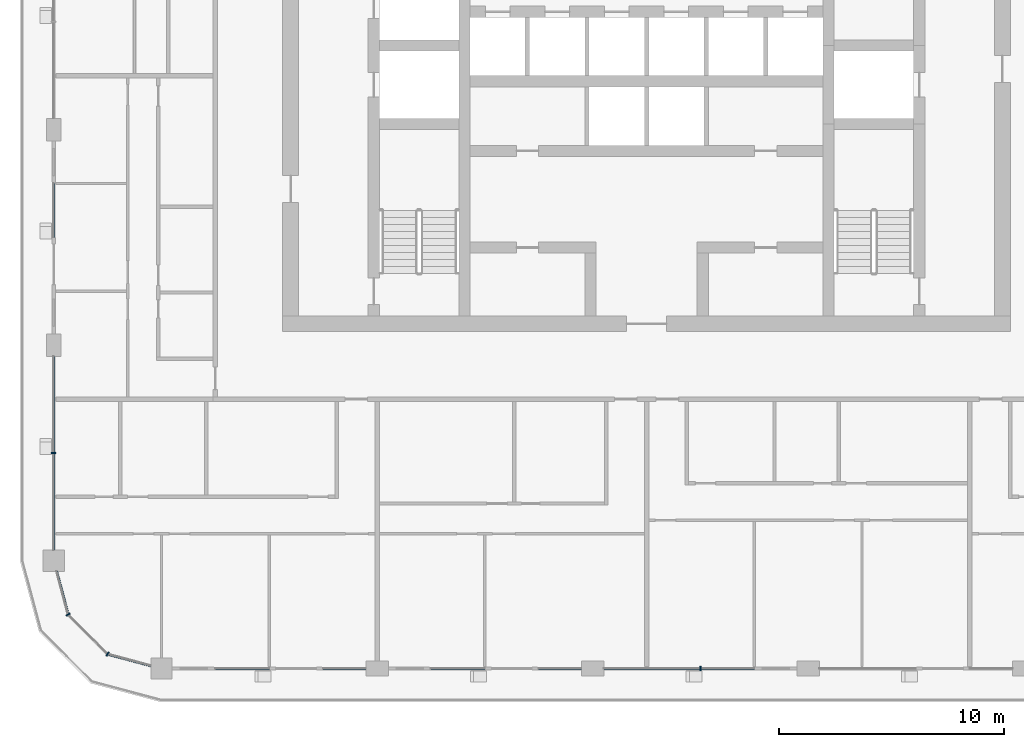
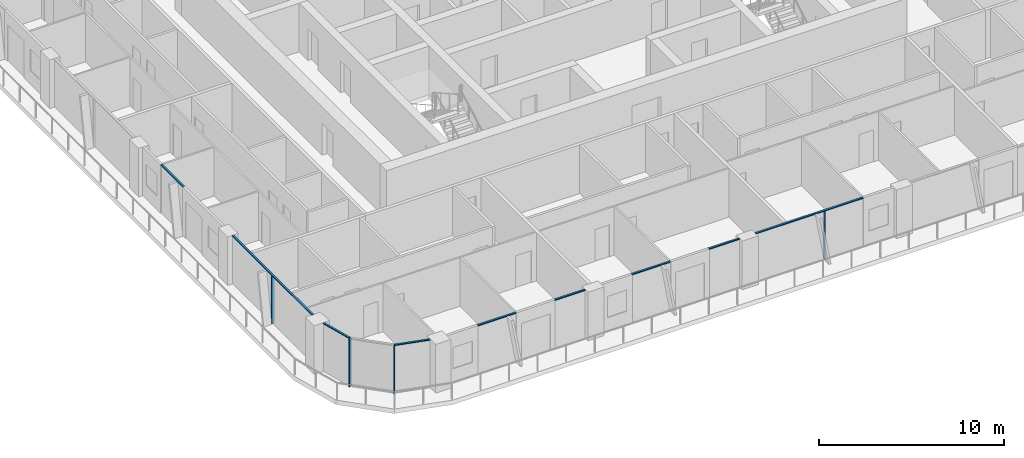
# One storey, part 2 of 21: 13 members, 6 elements without a shape of their own.
"""IFC4 building model written with IfcOpenShell, lengths in metres."""

import ifcopenshell
import ifcopenshell.guid

model = None  # the IFC model being written
_history = None  # IfcOwnerHistory: only IFC2X3 demands one
_inside = {}  # id of a spatial element -> (the spatial element, [elements in it])
_under = {}  # id of a project, library or spatial element -> (it, [spatial elements below it])
_declared = {}  # id of a project -> (the project, [libraries it declares])
_typed = {}  # id of a type object -> (the type object, [elements of that type])
_made_of = {}  # id of a material, layer set ... -> (it, [elements and type objects made of it])


def new_model(schema):
    """Start an empty IFC model of exactly this schema.

    Asked for "IFC4X3", IfcOpenShell would pick the latest addendum, in which some entities
    have other attributes; the version numbers below select the first issue.
    IFC2X3 requires an IfcOwnerHistory on every rooted entity: one is made here for all.
    """
    global model, _history
    if schema == "IFC4X3":
        model = ifcopenshell.file(schema_version=(4, 3, 0, 0))
    else:
        model = ifcopenshell.file(schema=schema)
    _inside.clear()
    _under.clear()
    _declared.clear()
    _typed.clear()
    _made_of.clear()
    _history = None
    if model.schema == "IFC2X3":
        org = make("IfcOrganization", Name="unknown")
        user = make(
            "IfcPersonAndOrganization",
            ThePerson=make("IfcPerson", FamilyName="unknown"),
            TheOrganization=org,
        )
        app = make(
            "IfcApplication",
            ApplicationDeveloper=org,
            Version="unknown",
            ApplicationFullName="unknown",
            ApplicationIdentifier="unknown",
        )
        _history = make(
            "IfcOwnerHistory",
            OwningUser=user,
            OwningApplication=app,
            ChangeAction="ADDED",
            CreationDate=0,
        )
    return model


def make(cls, **values):
    """One entity of the class cls with the attributes given. An attribute that is None is left unset."""
    return model.create_entity(
        cls, **{name: value for name, value in values.items() if value is not None}
    )


def rooted(cls, **values):
    """An entity with a GlobalId (a new one), such as an element, a storey or a relation."""
    return make(cls, GlobalId=ifcopenshell.guid.new(), OwnerHistory=_history, **values)


def si_unit(unit_type, name, prefix=None):
    """IfcSIUnit, for example si_unit("LENGTHUNIT", "METRE", prefix="MILLI")."""
    return make("IfcSIUnit", UnitType=unit_type, Prefix=prefix, Name=name)


def assignment(units):
    """IfcUnitAssignment: the units of a project."""
    return None if units is None else make("IfcUnitAssignment", Units=units)


def point(xyz):
    """IfcCartesianPoint."""
    return None if xyz is None else make("IfcCartesianPoint", Coordinates=xyz)


def direction(xyz):
    """IfcDirection."""
    return None if xyz is None else make("IfcDirection", DirectionRatios=xyz)


def frame(location, z_axis=None, x_axis=None):
    """IfcAxis2Placement3D, a coordinate frame: its origin and axes. An axis left out is left unset."""
    return make(
        "IfcAxis2Placement3D",
        Location=point(location),
        Axis=direction(z_axis),
        RefDirection=direction(x_axis),
    )


def frame_2d(location, x_axis=None):
    """IfcAxis2Placement2D, a coordinate frame in the plane: its origin and x axis."""
    return make(
        "IfcAxis2Placement2D", Location=point(location), RefDirection=direction(x_axis)
    )


def origin():
    """The frame at (0, 0, 0) with its axes left unset."""
    return frame((0.0, 0.0, 0.0))


def origin_2d():
    """The frame at (0, 0) in the plane with its x axis left unset."""
    return frame_2d((0.0, 0.0))


def place(relative_to, where):
    """IfcLocalPlacement: puts the frame where relative to a parent placement (None: the world)."""
    return make(
        "IfcLocalPlacement", PlacementRelTo=relative_to, RelativePlacement=where
    )


def context(
    kind, dimensions, precision=None, world=None, true_north=None, identifier=None
):
    """IfcGeometricRepresentationContext, for example the 3D "Model" context."""
    return make(
        "IfcGeometricRepresentationContext",
        ContextIdentifier=identifier,
        ContextType=kind,
        CoordinateSpaceDimension=dimensions,
        Precision=precision,
        WorldCoordinateSystem=world,
        TrueNorth=true_north,
    )


def subcontext(parent, identifier, kind, view, scale=None):
    """IfcGeometricRepresentationSubContext, for example "Body" below "Model"."""
    return make(
        "IfcGeometricRepresentationSubContext",
        ContextIdentifier=identifier,
        ContextType=kind,
        ParentContext=parent,
        TargetScale=scale,
        TargetView=view,
    )


def project(units=None, contexts=None):
    """IfcProject with its units and contexts."""
    return rooted(
        "IfcProject",
        Name="project",
        RepresentationContexts=contexts,
        UnitsInContext=assignment(units),
    )


def spatial(cls, under=None, at=None, **own):
    """A site, building, storey or space (cls), placed at a placement, below another one or the project."""
    s = rooted(cls, ObjectPlacement=at, **own)
    if under is not None:
        _under.setdefault(under.id(), (under, []))[1].append(s)
    return s


def profile(cls, at=None, kind="AREA", **sizes):
    """A parametric profile (cls). Its sizes go by their IFC names, for example OverallWidth=200.0."""
    return make(cls, ProfileType=kind, Position=at, **sizes)


def rectangle(**sizes):
    """IfcRectangleProfileDef."""
    return profile("IfcRectangleProfileDef", **sizes)


def extrude(swept, where, along, depth):
    """IfcExtrudedAreaSolid: the profile swept, set in the frame where, extruded along a direction by depth."""
    return make(
        "IfcExtrudedAreaSolid",
        SweptArea=swept,
        Position=where,
        ExtrudedDirection=direction(along),
        Depth=depth,
    )


def shape(context_of_items, identifier, shape_type, items):
    """IfcShapeRepresentation: the items that make up one representation, for example the "Body"."""
    return make(
        "IfcShapeRepresentation",
        ContextOfItems=context_of_items,
        RepresentationIdentifier=identifier,
        RepresentationType=shape_type,
        Items=items,
    )


def material(Name=None, Category=None):
    """IfcMaterial."""
    return make("IfcMaterial", Name=Name, Category=Category)


def layer(
    of_material, thickness, ventilated=None, Name=None, Category=None, Priority=None
):
    """IfcMaterialLayer: one layer of a wall or slab, of a material (None: an air gap)."""
    return make(
        "IfcMaterialLayer",
        Material=of_material,
        LayerThickness=thickness,
        IsVentilated=ventilated,
        Name=Name,
        Category=Category,
        Priority=Priority,
    )


def layer_set(layers, Name=None):
    """IfcMaterialLayerSet."""
    return make("IfcMaterialLayerSet", MaterialLayers=layers, LayerSetName=Name)


def material_profile(
    of_material, cross_section, Name=None, Category=None, Priority=None
):
    """IfcMaterialProfile: a cross section and its material."""
    return make(
        "IfcMaterialProfile",
        Name=Name,
        Material=of_material,
        Profile=cross_section,
        Priority=Priority,
        Category=Category,
    )


def profile_set(profiles, Name=None, composite=None):
    """IfcMaterialProfileSet."""
    return make(
        "IfcMaterialProfileSet",
        Name=Name,
        MaterialProfiles=profiles,
        CompositeProfile=composite,
    )


def made_of(thing, what):
    """Note that an element or type object is made of a material, layer set ...; save() writes the relation."""
    if what is not None:
        _made_of.setdefault(what.id(), (what, []))[1].append(thing)
    return thing


def type_object(cls, material=None, **own):
    """A type object (cls), such as IfcWallType, which elements share."""
    return made_of(rooted(cls, **own), material)


def element(
    cls,
    number,
    at=None,
    inside=None,
    cuts=None,
    type_object=None,
    material=None,
    context=None,
    identifier="Body",
    shape_type=None,
    held_by="IfcProductDefinitionShape",
    body=None,
    shapes=None,
    **own,
):
    """One element of the class cls, such as IfcWall. Its Tag is "e" and its number.

    at: its placement. inside: the storey or other place that contains it. cuts: it is an
    opening in that element (IfcRelVoidsElement). A single representation is given by context,
    identifier, shape_type and body (its items); several are given by shapes. held_by: the class
    of the entity that holds the representations. save() writes the other relations.
    """
    e = rooted(cls, Tag="e%d" % number, ObjectPlacement=at, **own)
    if body is not None:
        shapes = [shape(context, identifier, shape_type, body)]
    if shapes is not None:
        e.Representation = make(held_by, Representations=shapes)
    if inside is not None:
        _inside.setdefault(inside.id(), (inside, []))[1].append(e)
    if cuts is not None:
        rooted(
            "IfcRelVoidsElement", RelatingBuildingElement=cuts, RelatedOpeningElement=e
        )
    if type_object is not None:
        _typed.setdefault(type_object.id(), (type_object, []))[1].append(e)
    return made_of(e, material)


def aggregate(whole, parts):
    """IfcRelAggregates: a whole, such as a stair, and the parts it consists of."""
    return rooted("IfcRelAggregates", RelatingObject=whole, RelatedObjects=parts)


def save(model, path):
    """Write the relations noted so far, then the file.

    IfcRelAggregates (storeys below a building ...), IfcRelContainedInSpatialStructure (elements
    in a storey), IfcRelDefinesByType, IfcRelAssociatesMaterial and IfcRelDeclares: one each for
    every whole, place, type object, material and project.
    """
    for whole, parts in _under.values():
        aggregate(whole, parts)
    for where, things in _inside.values():
        rooted(
            "IfcRelContainedInSpatialStructure",
            RelatedElements=things,
            RelatingStructure=where,
        )
    for kind, things in _typed.values():
        rooted("IfcRelDefinesByType", RelatedObjects=things, RelatingType=kind)
    for what, things in _made_of.values():
        rooted("IfcRelAssociatesMaterial", RelatedObjects=things, RelatingMaterial=what)
    for by, libraries in _declared.values():
        rooted("IfcRelDeclares", RelatingContext=by, RelatedDefinitions=libraries)
    model.write(path)


model = new_model("IFC4")

# Units and contexts
model_context = context("Model", 3, precision=1e-05, world=origin(), true_north=direction((0.0, 1.0)))
body_context = subcontext(model_context, "Body", "Model", "MODEL_VIEW")
ifc_project = project(units=[si_unit("LENGTHUNIT", "METRE"), si_unit("AREAUNIT", "SQUARE_METRE"), si_unit("VOLUMEUNIT", "CUBIC_METRE"), si_unit("PLANEANGLEUNIT", "RADIAN"), si_unit("MASSUNIT", "GRAM", prefix="KILO")], contexts=[model_context])

# Site, building, storey
site_placement = place(None, origin())
site = spatial("IfcSite", under=ifc_project, at=site_placement, CompositionType="ELEMENT")
building_placement = place(site_placement, origin())
building = spatial("IfcBuilding", under=site, at=building_placement, Name="Madar Terraces", CompositionType="ELEMENT")
storey_placement = place(building_placement, frame((0.0, 0.0, 196.39990234375)))
storey = spatial("IfcBuildingStorey", under=building, at=storey_placement, Name="L51", CompositionType="ELEMENT", Elevation=196.39990234375)

# Curtain wall, member
ifc_material_1 = material(Name="Glass, ceramic frit dark grey, with black aluminium frame", Category="aluminium")
ifc_layer = layer(ifc_material_1, 0.199951171875)
ifc_layer_set = layer_set([ifc_layer], Name="Facade curtain wall, fritted glass")
curtain_wall_type = type_object("IfcCurtainWallType", Name="Facade curtain wall, fritted glass", PredefinedType="NOTDEFINED", material=ifc_layer_set)
curtain_wall_1_placement = place(storey_placement, origin())
curtain_wall_1 = element("IfcCurtainWall", 1, at=curtain_wall_1_placement, inside=storey, type_object=curtain_wall_type, Name="Outer skin curtain wall south bay 3", PredefinedType="NOTDEFINED")
ifc_material_2 = material(Name="Aluminium, black anodised", Category="aluminium")
ifc_material_profile_1 = material_profile(ifc_material_2, rectangle(XDim=0.199951171875, YDim=0.06005859375, at=origin_2d()), Name="Facade mullion 60x200")
ifc_profile_set_1 = profile_set([ifc_material_profile_1], Name="Aluminium, black anodised")
member_type_1 = type_object("IfcMemberType", Name="Facade mullion 60x200", PredefinedType="MULLION", material=ifc_profile_set_1)
member_1_placement = place(storey_placement, frame((33.60009765625, 0.0, 0.0), z_axis=(0.0, 0.0, 1.0), x_axis=(0.0, 1.0, 0.0)))
member_1 = element("IfcMember", 2, at=member_1_placement, type_object=member_type_1, Name="Mullion 1", PredefinedType="MULLION", context=body_context, shape_type="SweptSolid", body=[
    extrude(rectangle(XDim=0.199951171875, YDim=0.06005859375, at=origin_2d()), origin(), (0.0, 0.0, 1.0), 3.14013671875),
])

curtain_wall_2_placement = place(storey_placement, origin())
curtain_wall_2 = element("IfcCurtainWall", 3, at=curtain_wall_2_placement, inside=storey, type_object=curtain_wall_type, Name="Outer skin curtain wall west bay 4", PredefinedType="NOTDEFINED")
member_2_placement = place(storey_placement, frame((4.800048828125, 9.60009765625, 0.0), z_axis=(0.0, 0.0, 1.0), x_axis=(1.0, 0.0, 0.0)))
member_2 = element("IfcMember", 4, at=member_2_placement, type_object=member_type_1, Name="Mullion 1", PredefinedType="MULLION", context=body_context, shape_type="SweptSolid", body=[
    extrude(rectangle(XDim=0.199951171875, YDim=0.06005859375, at=origin_2d()), origin(), (0.0, 0.0, 1.0), 3.14013671875),
])

# Curtain wall, members
curtain_wall_3_placement = place(storey_placement, origin())
curtain_wall_3 = element("IfcCurtainWall", 5, at=curtain_wall_3_placement, inside=storey, type_object=curtain_wall_type, Name="Outer skin curtain wall south-west corner", PredefinedType="NOTDEFINED")
member_3_placement = place(storey_placement, frame((5.443115234375, 2.39990234375, 0.0), z_axis=(0.0, 0.0, 1.0), x_axis=(0.866025409797, 0.499999989586, 0.0)))
member_3 = element("IfcMember", 6, at=member_3_placement, type_object=member_type_1, Name="Mullion 1", PredefinedType="MULLION", context=body_context, shape_type="SweptSolid", body=[
    extrude(rectangle(XDim=0.199951171875, YDim=0.06005859375, at=origin_2d()), origin(), (0.0, 0.0, 1.0), 3.14013671875),
])
member_4_placement = place(storey_placement, frame((7.199951171875, 0.64306640625, 0.0), z_axis=(0.0, 0.0, 1.0), x_axis=(0.499999989586, 0.866025409797, 0.0)))
member_4 = element("IfcMember", 7, at=member_4_placement, type_object=member_type_1, Name="Mullion 2", PredefinedType="MULLION", context=body_context, shape_type="SweptSolid", body=[
    extrude(rectangle(XDim=0.199951171875, YDim=0.06005859375, at=origin_2d()), origin(), (0.0, 0.0, 1.0), 3.14013671875),
])

curtain_wall_4_placement = place(storey_placement, origin())
curtain_wall_4 = element("IfcCurtainWall", 8, at=curtain_wall_4_placement, inside=storey, type_object=curtain_wall_type, Name="Outer skin curtain wall south bay 1", PredefinedType="NOTDEFINED")
ifc_material_3 = material(Name="Aluminium, black anodised", Category="aluminium")
ifc_material_profile_2 = material_profile(ifc_material_3, rectangle(XDim=0.1201171875, YDim=0.06005859375, at=origin_2d()), Name="Facade transom 60x120")
ifc_profile_set_2 = profile_set([ifc_material_profile_2], Name="Aluminium, black anodised")
member_type_2 = type_object("IfcMemberType", Name="Facade transom 60x120", PredefinedType="USERDEFINED", material=ifc_profile_set_2)
member_5_placement = place(storey_placement, frame((12.0, 0.0, 3.170166015625), z_axis=(1.0, 0.0, 0.0), x_axis=(0.0, 1.0, 0.0)))
member_5 = element("IfcMember", 9, at=member_5_placement, type_object=member_type_2, Name="Transom 1", ObjectType="TRANSOM", PredefinedType="USERDEFINED", context=body_context, shape_type="SweptSolid", body=[
    extrude(rectangle(XDim=0.1201171875, YDim=0.06005859375, at=origin_2d()), origin(), (0.0, 0.0, 1.0), 2.39990234375),
])
member_6_placement = place(storey_placement, frame((16.800048828125, 0.0, 3.170166015625), z_axis=(1.0, 0.0, 0.0), x_axis=(0.0, 1.0, 0.0)))
member_6 = element("IfcMember", 10, at=member_6_placement, type_object=member_type_2, Name="Transom 2", ObjectType="TRANSOM", PredefinedType="USERDEFINED", context=body_context, shape_type="SweptSolid", body=[
    extrude(rectangle(XDim=0.1201171875, YDim=0.06005859375, at=origin_2d()), origin(), (0.0, 0.0, 1.0), 1.89990234375),
])
aggregate(curtain_wall_4, [member_5, member_6])

curtain_wall_5_placement = place(storey_placement, origin())
curtain_wall_5 = element("IfcCurtainWall", 11, at=curtain_wall_5_placement, inside=storey, type_object=curtain_wall_type, Name="Outer skin curtain wall south bay 2", PredefinedType="NOTDEFINED")
member_7_placement = place(storey_placement, frame((21.60009765625, 0.0, 3.170166015625), z_axis=(1.0, 0.0, 0.0), x_axis=(0.0, 1.0, 0.0)))
member_7 = element("IfcMember", 12, at=member_7_placement, type_object=member_type_2, Name="Transom 1", ObjectType="TRANSOM", PredefinedType="USERDEFINED", context=body_context, shape_type="SweptSolid", body=[
    extrude(rectangle(XDim=0.1201171875, YDim=0.06005859375, at=origin_2d()), origin(), (0.0, 0.0, 1.0), 2.39990234375),
])
member_8_placement = place(storey_placement, frame((26.39990234375, 0.0, 3.170166015625), z_axis=(1.0, 0.0, 0.0), x_axis=(0.0, 1.0, 0.0)))
member_8 = element("IfcMember", 13, at=member_8_placement, type_object=member_type_2, Name="Transom 2", ObjectType="TRANSOM", PredefinedType="USERDEFINED", context=body_context, shape_type="SweptSolid", body=[
    extrude(rectangle(XDim=0.1201171875, YDim=0.06005859375, at=origin_2d()), origin(), (0.0, 0.0, 1.0), 1.900146484375),
])
aggregate(curtain_wall_5, [member_7, member_8])

# Member
member_9_placement = place(storey_placement, frame((29.300048828125, 0.0, 3.170166015625), z_axis=(1.0, 0.0, 0.0), x_axis=(0.0, 1.0, 0.0)))
member_9 = element("IfcMember", 14, at=member_9_placement, type_object=member_type_2, Name="Transom 1", ObjectType="TRANSOM", PredefinedType="USERDEFINED", context=body_context, shape_type="SweptSolid", body=[
    extrude(rectangle(XDim=0.1201171875, YDim=0.06005859375, at=origin_2d()), origin(), (0.0, 0.0, 1.0), 6.699951171875),
])

aggregate(curtain_wall_1, [member_1, member_9])

# Curtain wall, member
curtain_wall_6_placement = place(storey_placement, origin())
curtain_wall_6 = element("IfcCurtainWall", 15, at=curtain_wall_6_placement, inside=storey, type_object=curtain_wall_type, Name="Outer skin curtain wall west bay 3", PredefinedType="NOTDEFINED")
member_10_placement = place(storey_placement, frame((4.800048828125, 21.60009765625, 3.170166015625), z_axis=(0.0, -1.0, 0.0), x_axis=(1.0, 0.0, 0.0)))
member_10 = element("IfcMember", 16, at=member_10_placement, type_object=member_type_2, Name="Transom 1", ObjectType="TRANSOM", PredefinedType="USERDEFINED", context=body_context, shape_type="SweptSolid", body=[
    extrude(rectangle(XDim=0.1201171875, YDim=0.06005859375, at=origin_2d()), origin(), (0.0, 0.0, 1.0), 2.400146484375),
])
aggregate(curtain_wall_6, [member_10])

# Member
member_11_placement = place(storey_placement, frame((4.800048828125, 13.89990234375, 3.170166015625), z_axis=(0.0, -1.0, 0.0), x_axis=(1.0, 0.0, 0.0)))
member_11 = element("IfcMember", 17, at=member_11_placement, type_object=member_type_2, Name="Transom 1", ObjectType="TRANSOM", PredefinedType="USERDEFINED", context=body_context, shape_type="SweptSolid", body=[
    extrude(rectangle(XDim=0.1201171875, YDim=0.06005859375, at=origin_2d()), origin(), (0.0, 0.0, 1.0), 8.625),
])

aggregate(curtain_wall_2, [member_2, member_11])

member_12_placement = place(storey_placement, frame((4.92724609375, 4.324951171875, 3.170166015625), z_axis=(0.258831412352, -0.96592251241, 0.0), x_axis=(0.96592251241, 0.258831412352, 0.0)))
member_12 = element("IfcMember", 18, at=member_12_placement, type_object=member_type_2, Name="Transom 1", ObjectType="TRANSOM", PredefinedType="USERDEFINED", context=body_context, shape_type="SweptSolid", body=[
    extrude(rectangle(XDim=0.1201171875, YDim=0.06005859375, at=origin_2d()), origin(), (0.0, 0.0, 1.0), 1.962890625),
])

member_13_placement = place(storey_placement, frame((7.22900390625, 0.63525390625, 3.170166015625), z_axis=(0.96592251241, -0.258831412352, 0.0), x_axis=(0.258831412352, 0.96592251241, 0.0)))
member_13 = element("IfcMember", 19, at=member_13_placement, type_object=member_type_2, Name="Transom 3", ObjectType="TRANSOM", PredefinedType="USERDEFINED", context=body_context, shape_type="SweptSolid", body=[
    extrude(rectangle(XDim=0.1201171875, YDim=0.06005859375, at=origin_2d()), origin(), (0.0, 0.0, 1.0), 1.962890625),
])

aggregate(curtain_wall_3, [member_3, member_12, member_4, member_13])

save(model, "model.ifc")
